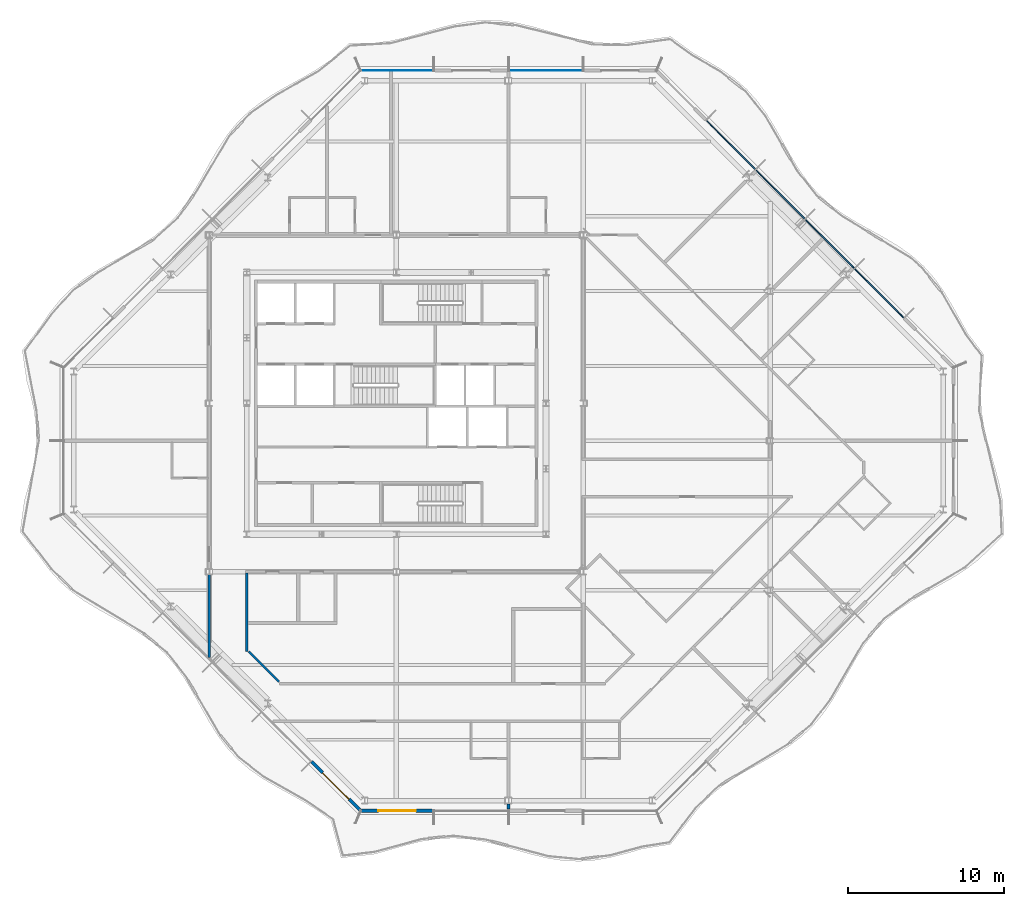
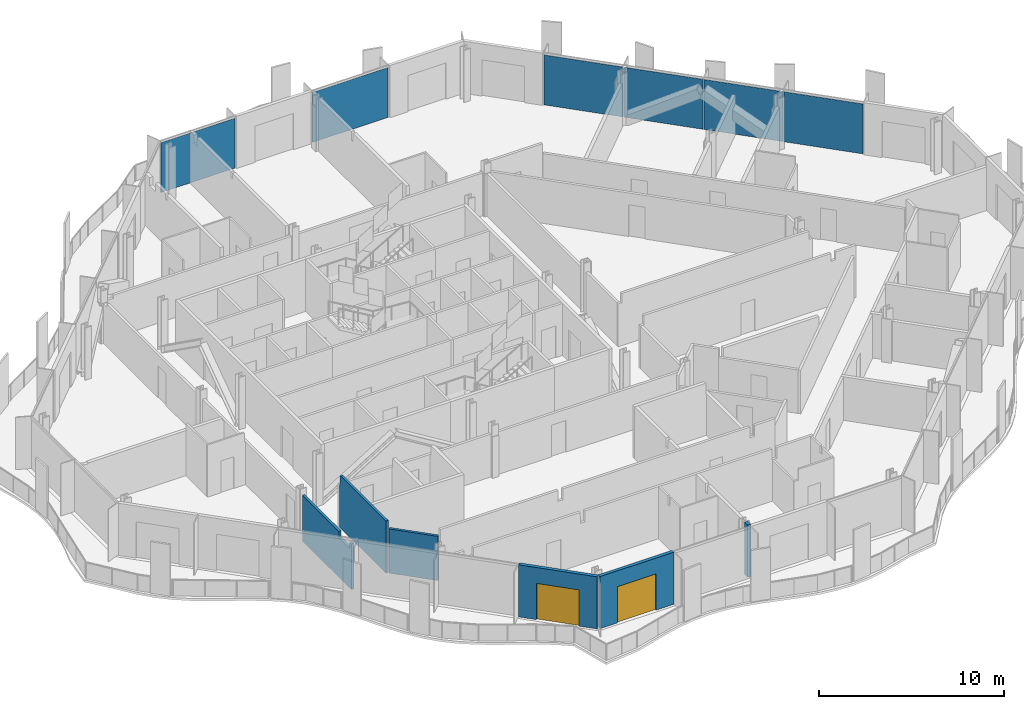
# One storey, part 6 of 17: 6 plates, 6 walls, 2 doors, 2 openings, 2 elements without a shape of their own.
"""IFC4 building model written with IfcOpenShell, lengths in metres."""

import ifcopenshell
import ifcopenshell.guid

model = None  # the IFC model being written
_history = None  # IfcOwnerHistory: only IFC2X3 demands one
_inside = {}  # id of a spatial element -> (the spatial element, [elements in it])
_under = {}  # id of a project, library or spatial element -> (it, [spatial elements below it])
_declared = {}  # id of a project -> (the project, [libraries it declares])
_typed = {}  # id of a type object -> (the type object, [elements of that type])
_made_of = {}  # id of a material, layer set ... -> (it, [elements and type objects made of it])


def new_model(schema):
    """Start an empty IFC model of exactly this schema.

    Asked for "IFC4X3", IfcOpenShell would pick the latest addendum, in which some entities
    have other attributes; the version numbers below select the first issue.
    IFC2X3 requires an IfcOwnerHistory on every rooted entity: one is made here for all.
    """
    global model, _history
    if schema == "IFC4X3":
        model = ifcopenshell.file(schema_version=(4, 3, 0, 0))
    else:
        model = ifcopenshell.file(schema=schema)
    _inside.clear()
    _under.clear()
    _declared.clear()
    _typed.clear()
    _made_of.clear()
    _history = None
    if model.schema == "IFC2X3":
        org = make("IfcOrganization", Name="unknown")
        user = make(
            "IfcPersonAndOrganization",
            ThePerson=make("IfcPerson", FamilyName="unknown"),
            TheOrganization=org,
        )
        app = make(
            "IfcApplication",
            ApplicationDeveloper=org,
            Version="unknown",
            ApplicationFullName="unknown",
            ApplicationIdentifier="unknown",
        )
        _history = make(
            "IfcOwnerHistory",
            OwningUser=user,
            OwningApplication=app,
            ChangeAction="ADDED",
            CreationDate=0,
        )
    return model


def make(cls, **values):
    """One entity of the class cls with the attributes given. An attribute that is None is left unset."""
    return model.create_entity(
        cls, **{name: value for name, value in values.items() if value is not None}
    )


def rooted(cls, **values):
    """An entity with a GlobalId (a new one), such as an element, a storey or a relation."""
    return make(cls, GlobalId=ifcopenshell.guid.new(), OwnerHistory=_history, **values)


def si_unit(unit_type, name, prefix=None):
    """IfcSIUnit, for example si_unit("LENGTHUNIT", "METRE", prefix="MILLI")."""
    return make("IfcSIUnit", UnitType=unit_type, Prefix=prefix, Name=name)


def assignment(units):
    """IfcUnitAssignment: the units of a project."""
    return None if units is None else make("IfcUnitAssignment", Units=units)


def point(xyz):
    """IfcCartesianPoint."""
    return None if xyz is None else make("IfcCartesianPoint", Coordinates=xyz)


def direction(xyz):
    """IfcDirection."""
    return None if xyz is None else make("IfcDirection", DirectionRatios=xyz)


def frame(location, z_axis=None, x_axis=None):
    """IfcAxis2Placement3D, a coordinate frame: its origin and axes. An axis left out is left unset."""
    return make(
        "IfcAxis2Placement3D",
        Location=point(location),
        Axis=direction(z_axis),
        RefDirection=direction(x_axis),
    )


def frame_2d(location, x_axis=None):
    """IfcAxis2Placement2D, a coordinate frame in the plane: its origin and x axis."""
    return make(
        "IfcAxis2Placement2D", Location=point(location), RefDirection=direction(x_axis)
    )


def origin():
    """The frame at (0, 0, 0) with its axes left unset."""
    return frame((0.0, 0.0, 0.0))


def origin_2d():
    """The frame at (0, 0) in the plane with its x axis left unset."""
    return frame_2d((0.0, 0.0))


def place(relative_to, where):
    """IfcLocalPlacement: puts the frame where relative to a parent placement (None: the world)."""
    return make(
        "IfcLocalPlacement", PlacementRelTo=relative_to, RelativePlacement=where
    )


def context(
    kind, dimensions, precision=None, world=None, true_north=None, identifier=None
):
    """IfcGeometricRepresentationContext, for example the 3D "Model" context."""
    return make(
        "IfcGeometricRepresentationContext",
        ContextIdentifier=identifier,
        ContextType=kind,
        CoordinateSpaceDimension=dimensions,
        Precision=precision,
        WorldCoordinateSystem=world,
        TrueNorth=true_north,
    )


def subcontext(parent, identifier, kind, view, scale=None):
    """IfcGeometricRepresentationSubContext, for example "Body" below "Model"."""
    return make(
        "IfcGeometricRepresentationSubContext",
        ContextIdentifier=identifier,
        ContextType=kind,
        ParentContext=parent,
        TargetScale=scale,
        TargetView=view,
    )


def project(units=None, contexts=None):
    """IfcProject with its units and contexts."""
    return rooted(
        "IfcProject",
        Name="project",
        RepresentationContexts=contexts,
        UnitsInContext=assignment(units),
    )


def spatial(cls, under=None, at=None, **own):
    """A site, building, storey or space (cls), placed at a placement, below another one or the project."""
    s = rooted(cls, ObjectPlacement=at, **own)
    if under is not None:
        _under.setdefault(under.id(), (under, []))[1].append(s)
    return s


def polyline(points):
    """IfcPolyline through the points."""
    return make("IfcPolyline", Points=[point(p) for p in points])


def profile(cls, at=None, kind="AREA", **sizes):
    """A parametric profile (cls). Its sizes go by their IFC names, for example OverallWidth=200.0."""
    return make(cls, ProfileType=kind, Position=at, **sizes)


def rectangle(**sizes):
    """IfcRectangleProfileDef."""
    return profile("IfcRectangleProfileDef", **sizes)


def outline(outer, holes=None, kind="AREA"):
    """IfcArbitraryClosedProfileDef: a profile drawn as a closed curve; with holes, ...WithVoids."""
    if holes is None:
        return make("IfcArbitraryClosedProfileDef", ProfileType=kind, OuterCurve=outer)
    return make(
        "IfcArbitraryProfileDefWithVoids",
        ProfileType=kind,
        OuterCurve=outer,
        InnerCurves=holes,
    )


def extrude(swept, where, along, depth):
    """IfcExtrudedAreaSolid: the profile swept, set in the frame where, extruded along a direction by depth."""
    return make(
        "IfcExtrudedAreaSolid",
        SweptArea=swept,
        Position=where,
        ExtrudedDirection=direction(along),
        Depth=depth,
    )


def shape(context_of_items, identifier, shape_type, items):
    """IfcShapeRepresentation: the items that make up one representation, for example the "Body"."""
    return make(
        "IfcShapeRepresentation",
        ContextOfItems=context_of_items,
        RepresentationIdentifier=identifier,
        RepresentationType=shape_type,
        Items=items,
    )


def material(Name=None, Category=None):
    """IfcMaterial."""
    return make("IfcMaterial", Name=Name, Category=Category)


def layer(
    of_material, thickness, ventilated=None, Name=None, Category=None, Priority=None
):
    """IfcMaterialLayer: one layer of a wall or slab, of a material (None: an air gap)."""
    return make(
        "IfcMaterialLayer",
        Material=of_material,
        LayerThickness=thickness,
        IsVentilated=ventilated,
        Name=Name,
        Category=Category,
        Priority=Priority,
    )


def layer_set(layers, Name=None):
    """IfcMaterialLayerSet."""
    return make("IfcMaterialLayerSet", MaterialLayers=layers, LayerSetName=Name)


def made_of(thing, what):
    """Note that an element or type object is made of a material, layer set ...; save() writes the relation."""
    if what is not None:
        _made_of.setdefault(what.id(), (what, []))[1].append(thing)
    return thing


def type_object(cls, material=None, **own):
    """A type object (cls), such as IfcWallType, which elements share."""
    return made_of(rooted(cls, **own), material)


def element(
    cls,
    number,
    at=None,
    inside=None,
    cuts=None,
    type_object=None,
    material=None,
    context=None,
    identifier="Body",
    shape_type=None,
    held_by="IfcProductDefinitionShape",
    body=None,
    shapes=None,
    **own,
):
    """One element of the class cls, such as IfcWall. Its Tag is "e" and its number.

    at: its placement. inside: the storey or other place that contains it. cuts: it is an
    opening in that element (IfcRelVoidsElement). A single representation is given by context,
    identifier, shape_type and body (its items); several are given by shapes. held_by: the class
    of the entity that holds the representations. save() writes the other relations.
    """
    e = rooted(cls, Tag="e%d" % number, ObjectPlacement=at, **own)
    if body is not None:
        shapes = [shape(context, identifier, shape_type, body)]
    if shapes is not None:
        e.Representation = make(held_by, Representations=shapes)
    if inside is not None:
        _inside.setdefault(inside.id(), (inside, []))[1].append(e)
    if cuts is not None:
        rooted(
            "IfcRelVoidsElement", RelatingBuildingElement=cuts, RelatedOpeningElement=e
        )
    if type_object is not None:
        _typed.setdefault(type_object.id(), (type_object, []))[1].append(e)
    return made_of(e, material)


def fill(opening, filler):
    """IfcRelFillsElement: the door or window that sits in an opening."""
    return rooted(
        "IfcRelFillsElement",
        RelatingOpeningElement=opening,
        RelatedBuildingElement=filler,
    )


def aggregate(whole, parts):
    """IfcRelAggregates: a whole, such as a stair, and the parts it consists of."""
    return rooted("IfcRelAggregates", RelatingObject=whole, RelatedObjects=parts)


def save(model, path):
    """Write the relations noted so far, then the file.

    IfcRelAggregates (storeys below a building ...), IfcRelContainedInSpatialStructure (elements
    in a storey), IfcRelDefinesByType, IfcRelAssociatesMaterial and IfcRelDeclares: one each for
    every whole, place, type object, material and project.
    """
    for whole, parts in _under.values():
        aggregate(whole, parts)
    for where, things in _inside.values():
        rooted(
            "IfcRelContainedInSpatialStructure",
            RelatedElements=things,
            RelatingStructure=where,
        )
    for kind, things in _typed.values():
        rooted("IfcRelDefinesByType", RelatedObjects=things, RelatingType=kind)
    for what, things in _made_of.values():
        rooted("IfcRelAssociatesMaterial", RelatedObjects=things, RelatingMaterial=what)
    for by, libraries in _declared.values():
        rooted("IfcRelDeclares", RelatingContext=by, RelatedDefinitions=libraries)
    model.write(path)


model = new_model("IFC4")

# Units and contexts
model_context = context("Model", 3, precision=1e-05, world=origin(), true_north=direction((0.0, 1.0)))
body_context = subcontext(model_context, "Body", "Model", "MODEL_VIEW")
ifc_project = project(units=[si_unit("LENGTHUNIT", "METRE"), si_unit("AREAUNIT", "SQUARE_METRE"), si_unit("VOLUMEUNIT", "CUBIC_METRE"), si_unit("PLANEANGLEUNIT", "RADIAN"), si_unit("MASSUNIT", "GRAM", prefix="KILO")], contexts=[model_context])

# Site, building, storey
site_placement = place(None, origin())
site = spatial("IfcSite", under=ifc_project, at=site_placement, CompositionType="ELEMENT")
building_placement = place(site_placement, origin())
building = spatial("IfcBuilding", under=site, at=building_placement, Name="Cairn Pilgrim Tower", CompositionType="ELEMENT")
storey_placement = place(building_placement, frame((0.0, 0.0, 232.199951171875)))
storey = spatial("IfcBuildingStorey", under=building, at=storey_placement, Name="L59", CompositionType="ELEMENT", Elevation=232.199951171875)

# Curtain wall, plates
ifc_material_1 = material(Name="Aluminium alloy 6063-T6 bronze anodised with Bronze tinted laminated low-E glass 8+16+8.8", Category="aluminium")
curtain_wall_type_1 = type_object("IfcCurtainWallType", Name="CHAMFER CORNER CURTAIN WALL", PredefinedType="NOTDEFINED", material=ifc_material_1)
curtain_wall_1_placement = place(storey_placement, origin())
curtain_wall_1 = element("IfcCurtainWall", 1, at=curtain_wall_1_placement, inside=storey, type_object=curtain_wall_type_1, Name="Chamfer Corner Curtain Wall NE", PredefinedType="NOTDEFINED")
ifc_material_2 = material(Name="Bronze anodised aluminium spandrel panel with mineral wool insulation", Category="aluminium")
ifc_layer_1 = layer(ifc_material_2, 0.06005859375)
ifc_layer_set_1 = layer_set([ifc_layer_1], Name="SPANDREL PANEL 4431x3300")
plate_type_1 = type_object("IfcPlateType", Name="SPANDREL PANEL 4431x3300", PredefinedType="CURTAIN_PANEL", material=ifc_layer_set_1)
plate_1_placement = place(storey_placement, frame((38.1865234375, 9.459716796875, 0.0), z_axis=(0.0, 0.0, 1.0), x_axis=(-0.707106781187, 0.707106781187, 0.0)))
plate_1 = element("IfcPlate", 2, at=plate_1_placement, type_object=plate_type_1, Name="Spandrel Panel NE2-1", PredefinedType="CURTAIN_PANEL", context=body_context, shape_type="SweptSolid", body=[
    extrude(rectangle(XDim=4.430908203125, YDim=0.06005859375, at=origin_2d()), origin(), (0.0, 0.0, 1.0), 3.300048828125),
])
plate_2_placement = place(storey_placement, frame((35.010986328125, 12.635498046875, 0.0), z_axis=(0.0, 0.0, 1.0), x_axis=(-0.707106781187, 0.707106781187, 0.0)))
plate_2 = element("IfcPlate", 3, at=plate_2_placement, type_object=plate_type_1, Name="Spandrel Panel NE3-1", PredefinedType="CURTAIN_PANEL", context=body_context, shape_type="SweptSolid", body=[
    extrude(rectangle(XDim=4.430908203125, YDim=0.06005859375, at=origin_2d()), origin(), (0.0, 0.0, 1.0), 3.300048828125),
])
plate_3_placement = place(storey_placement, frame((31.83544921875, 15.81103515625, 0.0), z_axis=(0.0, 0.0, 1.0), x_axis=(-0.707106781187, 0.707106781187, 0.0)))
plate_3 = element("IfcPlate", 4, at=plate_3_placement, type_object=plate_type_1, Name="Spandrel Panel NE4-1", PredefinedType="CURTAIN_PANEL", context=body_context, shape_type="SweptSolid", body=[
    extrude(rectangle(XDim=4.430908203125, YDim=0.06005859375, at=origin_2d()), origin(), (0.0, 0.0, 1.0), 3.300048828125),
])
plate_4_placement = place(storey_placement, frame((28.659912109375, 18.986572265625, 0.0), z_axis=(0.0, 0.0, 1.0), x_axis=(-0.707106781187, 0.707106781187, 0.0)))
plate_4 = element("IfcPlate", 5, at=plate_4_placement, type_object=plate_type_1, Name="Spandrel Panel NE5-1", PredefinedType="CURTAIN_PANEL", context=body_context, shape_type="SweptSolid", body=[
    extrude(rectangle(XDim=4.430908203125, YDim=0.06005859375, at=origin_2d()), origin(), (0.0, 0.0, 1.0), 3.300048828125),
])
aggregate(curtain_wall_1, [plate_1, plate_2, plate_3, plate_4])

curtain_wall_type_2 = type_object("IfcCurtainWallType", Name="TOWER STICK CURTAIN WALL NS", PredefinedType="NOTDEFINED", material=ifc_material_1)
curtain_wall_2_placement = place(storey_placement, origin())
curtain_wall_2 = element("IfcCurtainWall", 6, at=curtain_wall_2_placement, inside=storey, type_object=curtain_wall_type_2, Name="Tower Stick Curtain Wall Ns N", PredefinedType="NOTDEFINED")
ifc_material_3 = material(Name="Bronze tinted laminated low-E glass 8+16+8.8", Category="glass")
ifc_layer_2 = layer(ifc_material_3, 0.033935546875)
ifc_layer_set_2 = layer_set([ifc_layer_2], Name="VISION GLAZING 4626x3300")
plate_type_2 = type_object("IfcPlateType", Name="VISION GLAZING 4626x3300", PredefinedType="CURTAIN_PANEL", material=ifc_layer_set_2)
plate_5_placement = place(storey_placement, frame((7.2568359375, 23.75, 0.0), z_axis=(0.0, 0.0, 1.0), x_axis=(-1.0, 0.0, 0.0)))
plate_5 = element("IfcPlate", 7, at=plate_5_placement, type_object=plate_type_2, Name="Vision Glazing N4-1", PredefinedType="CURTAIN_PANEL", context=body_context, shape_type="SweptSolid", body=[
    extrude(rectangle(XDim=4.62646484375, YDim=0.033935546875, at=origin_2d()), origin(), (0.0, 0.0, 1.0), 3.300048828125),
])
ifc_layer_3 = layer(ifc_material_3, 0.033935546875)
ifc_layer_set_3 = layer_set([ifc_layer_3], Name="VISION GLAZING 4740x3300")
plate_type_3 = type_object("IfcPlateType", Name="VISION GLAZING 4740x3300", PredefinedType="CURTAIN_PANEL", material=ifc_layer_set_3)
plate_6_placement = place(storey_placement, frame((16.800048828125, 23.75, 0.0), z_axis=(0.0, 0.0, 1.0), x_axis=(-1.0, 0.0, 0.0)))
plate_6 = element("IfcPlate", 8, at=plate_6_placement, type_object=plate_type_3, Name="Vision Glazing N2-1", PredefinedType="CURTAIN_PANEL", context=body_context, shape_type="SweptSolid", body=[
    extrude(rectangle(XDim=4.739990234375, YDim=0.033935546875, at=origin_2d()), origin(), (0.0, 0.0, 1.0), 3.300048828125),
])
aggregate(curtain_wall_2, [plate_6, plate_5])

# Wall, opening, door
ifc_material_4 = material(Name="Bronze anodised aluminium insulated sandwich panel with mineral wool fill", Category="aluminium")
ifc_layer_4 = layer(ifc_material_4, 0.199951171875)
ifc_layer_set_4 = layer_set([ifc_layer_4], Name="BRONZE INFILL FRAME WALL 200")
wall_type_1 = type_object("IfcWallType", Name="BRONZE INFILL FRAME WALL 200", PredefinedType="NOTDEFINED", material=ifc_layer_set_4)
wall_1_placement = place(storey_placement, frame((4.943603515625, -23.75, 0.0), z_axis=(0.0, 0.0, 1.0), x_axis=(1.0, 0.0, 0.0)))
wall_1 = element("IfcWall", 9, at=wall_1_placement, inside=storey, type_object=wall_type_1, Name="Bronze infill frame wall IW-S1", PredefinedType="NOTDEFINED", context=body_context, shape_type="SweptSolid", body=[
    extrude(rectangle(XDim=4.62646484375, YDim=0.199951171875, at=frame_2d((2.313232421875, 0.0))), origin(), (0.0, 0.0, 1.0), 3.449951171875),
])
opening_1_placement = place(wall_1_placement, frame((1.1083984375, 0.0, 0.0)))
opening_1 = element("IfcOpeningElement", 10, at=opening_1_placement, cuts=wall_1, Name="Opening 5913B2", PredefinedType="OPENING", context=body_context, shape_type="SweptSolid", body=[
    extrude(rectangle(XDim=2.39990234375, YDim=2.39990234375, at=frame_2d((1.199951171875, 1.199951171875))), frame((0.0, 0.10986328125, 0.0), z_axis=(0.0, -1.0, 0.0), x_axis=(1.0, 0.0, 0.0)), (0.0, 0.0, 1.0), 0.219970703125),
])
ifc_material_5 = material(Name="Bronze anodised aluminium frame with tinted low-E glass", Category="aluminium")
door_type = type_object("IfcDoorType", Name="BALCONY SLIDING DOOR 2400x2400", OperationType="DOUBLE_DOOR_SLIDING", PredefinedType="DOOR", material=ifc_material_5)
door_1_placement = place(opening_1_placement, origin())
door_1 = element("IfcDoor", 11, at=door_1_placement, inside=storey, type_object=door_type, Name="Balcony sliding door 5913B2", OperationType="SINGLE_SWING_LEFT", OverallHeight=2.39990234375, OverallWidth=2.39990234375, PredefinedType="DOOR", context=body_context, shape_type="SweptSolid", body=[
    extrude(rectangle(XDim=2.39990234375, YDim=2.39990234375, at=frame_2d((1.199951171875, 1.199951171875))), frame((0.0, 0.02490234375, 0.0), z_axis=(0.0, -1.0, 0.0), x_axis=(1.0, 0.0, 0.0)), (0.0, 0.0, 1.0), 0.050048828125),
])
fill(opening_1, door_1)

wall_2_placement = place(storey_placement, frame((1.749267578125, -20.595703125, 0.0), z_axis=(0.0, 0.0, 1.0), x_axis=(0.707106781187, -0.707106781187, 0.0)))
wall_2 = element("IfcWall", 12, at=wall_2_placement, inside=storey, type_object=wall_type_1, Name="Bronze infill frame wall IW-SW6", PredefinedType="NOTDEFINED", context=body_context, shape_type="SweptSolid", body=[
    extrude(rectangle(XDim=4.4208984375, YDim=0.199951171875, at=frame_2d((2.21044921875, 0.0))), origin(), (0.0, 0.0, 1.0), 3.449951171875),
])
opening_2_placement = place(wall_2_placement, frame((1.01513671875, 0.0, 0.0)))
opening_2 = element("IfcOpeningElement", 13, at=opening_2_placement, cuts=wall_2, Name="Opening 5913B", PredefinedType="OPENING", context=body_context, shape_type="SweptSolid", body=[
    extrude(rectangle(XDim=2.39990234375, YDim=2.39990234375, at=frame_2d((1.199951171875, 1.199951171875))), frame((0.0, 0.10986328125, 0.0), z_axis=(0.0, -1.0, 0.0), x_axis=(1.0, 0.0, 0.0)), (0.0, 0.0, 1.0), 0.219970703125),
])
door_2_placement = place(opening_2_placement, origin())
door_2 = element("IfcDoor", 14, at=door_2_placement, inside=storey, type_object=door_type, Name="Balcony sliding door 5913B", OperationType="SINGLE_SWING_LEFT", OverallHeight=2.39990234375, OverallWidth=2.39990234375, PredefinedType="DOOR", context=body_context, shape_type="SweptSolid", body=[
    extrude(rectangle(XDim=2.39990234375, YDim=2.39990234375, at=frame_2d((1.199951171875, 1.199951171875))), frame((0.0, 0.02490234375, 0.0), z_axis=(0.0, -1.0, 0.0), x_axis=(1.0, 0.0, 0.0)), (0.0, 0.0, 1.0), 0.050048828125),
])
fill(opening_2, door_2)

# Walls
ifc_material_6 = material(Name="Gypsum partition")
ifc_layer_5 = layer(ifc_material_6, 0.14990234375)
ifc_layer_set_5 = layer_set([ifc_layer_5], Name="PARTITION 150 DRYWALL EI 60")
wall_type_2 = type_object("IfcWallType", Name="PARTITION 150 DRYWALL EI 60", PredefinedType="PARTITIONING", material=ifc_layer_set_5)
wall_3_placement = place(storey_placement, frame((-0.333984375, -15.471923828125, 0.0), z_axis=(0.0, 0.0, 1.0), x_axis=(-0.707106781187, 0.707106781187, 0.0)))
element("IfcWall", 15, at=wall_3_placement, inside=storey, type_object=wall_type_2, Name="PARTITION W013", PredefinedType="PARTITIONING", context=body_context, shape_type="SweptSolid", body=[
    extrude(rectangle(XDim=2.74072265625, YDim=0.14990234375, at=frame_2d((1.370361328125, 0.0))), origin(), (0.0, 0.0, 1.0), 2.929931640625),
])
wall_4_placement = place(storey_placement, frame((-4.800048828125, -13.926025390625, 0.0), z_axis=(0.0, 0.0, 1.0), x_axis=(0.0, 1.0, 0.0)))
element("IfcWall", 16, at=wall_4_placement, inside=storey, type_object=wall_type_2, Name="PARTITION W017", PredefinedType="PARTITIONING", context=body_context, shape_type="SweptSolid", body=[
    extrude(outline(polyline([(0.0, 0.0), (5.32958984375, 0.0), (5.32958984375, 3.030029296875), (1.368896484375, 3.030029296875), (1.366943359375, 2.630126953125), (0.22900390625, 2.630126953125), (0.226806640625, 3.030029296875), (0.0, 3.030029296875), (0.0, 0.0)])), frame((0.0, 0.074951171875, 0.0), z_axis=(0.0, -1.0, 0.0), x_axis=(1.0, 0.0, 0.0)), (0.0, 0.0, 1.0), 0.14990234375),
])
wall_5_placement = place(storey_placement, frame((-2.39990234375, -13.51220703125, 0.0), z_axis=(0.0, 0.0, 1.0), x_axis=(0.0, 1.0, 0.0)))
element("IfcWall", 17, at=wall_5_placement, inside=storey, type_object=wall_type_2, Name="PARTITION W019", PredefinedType="PARTITIONING", context=body_context, shape_type="SweptSolid", body=[
    extrude(outline(polyline([(0.0, 0.0), (5.037109375, 0.0), (5.037109375, 2.830078125), (4.962158203125, 2.830078125), (4.960205078125, 3.449951171875), (0.0, 3.449951171875), (0.0, 0.0)])), frame((0.0, 0.074951171875, 0.0), z_axis=(0.0, -1.0, 0.0), x_axis=(1.0, 0.0, 0.0)), (0.0, 0.0, 1.0), 0.14990234375),
])
ifc_layer_6 = layer(ifc_material_6, 0.199951171875)
ifc_layer_set_6 = layer_set([ifc_layer_6], Name="SHAFT WALL 200 GYPSUM EI 60")
wall_type_3 = type_object("IfcWallType", Name="SHAFT WALL 200 GYPSUM EI 60", PredefinedType="PARTITIONING", material=ifc_layer_set_6)
wall_6_placement = place(storey_placement, frame((14.39990234375, -23.64990234375, 0.0), z_axis=(0.0, 0.0, 1.0), x_axis=(0.0, 1.0, 0.0)))
element("IfcWall", 18, at=wall_6_placement, inside=storey, type_object=wall_type_3, Name="PARTITION W001", PredefinedType="PARTITIONING", context=body_context, shape_type="SweptSolid", body=[
    extrude(rectangle(XDim=0.326904296875, YDim=0.199951171875, at=frame_2d((0.16357421875, 0.0))), origin(), (0.0, 0.0, 1.0), 3.449951171875),
])

save(model, "model.ifc")
